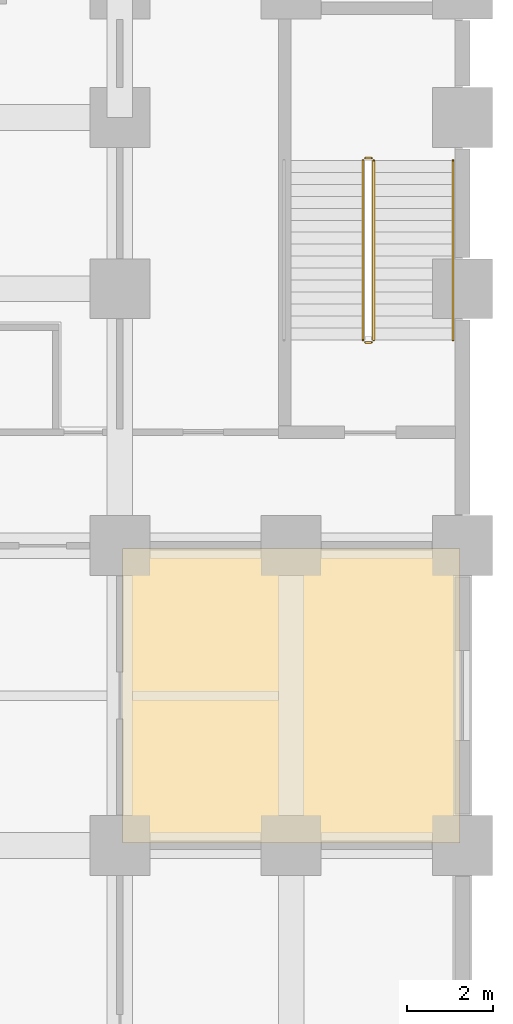
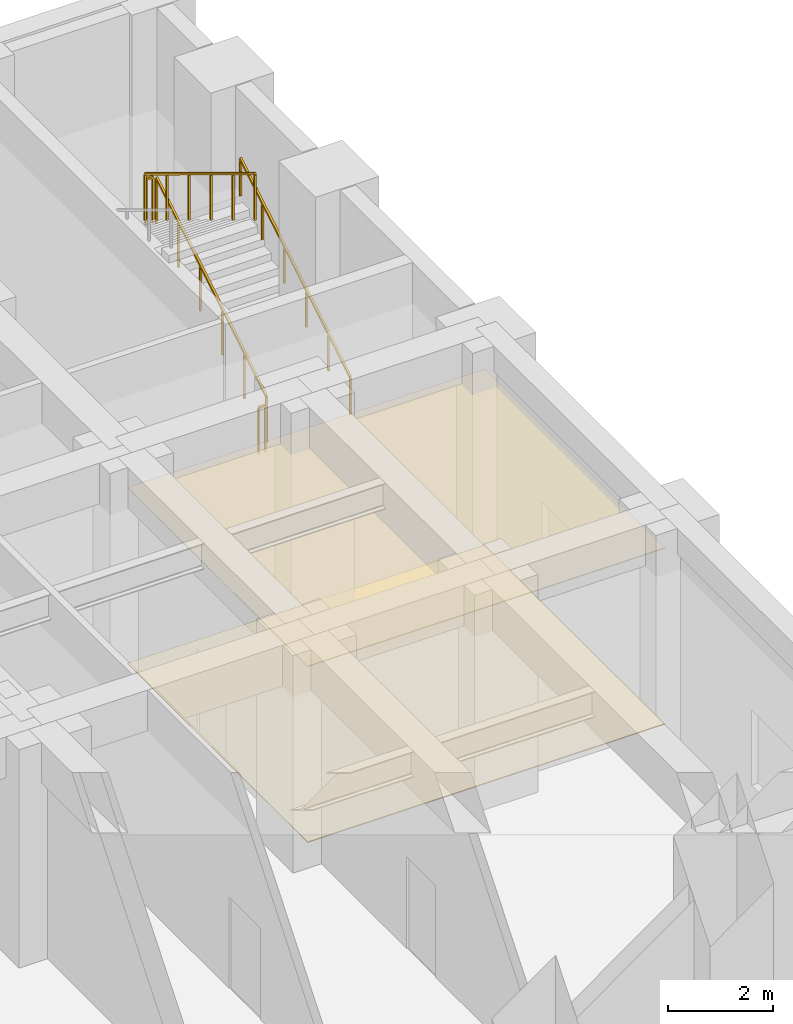
# One storey, part 21 of 21: 5 railings, 2 coverings.
"""IFC4 building model written with IfcOpenShell, lengths in metres."""

from ifc_helpers import new_model, si_unit, direction, frame, origin, origin_2d, place, context, subcontext, project, spatial, polyline, rectangle, outline, extrude, material, layer, layer_set, type_object, element, save


model = new_model("IFC4")

# Units and contexts
model_context = context("Model", 3, precision=1e-05, world=origin(), true_north=direction((0.0, 1.0)))
body_context = subcontext(model_context, "Body", "Model", "MODEL_VIEW")
ifc_project = project(units=[si_unit("LENGTHUNIT", "METRE"), si_unit("AREAUNIT", "SQUARE_METRE"), si_unit("VOLUMEUNIT", "CUBIC_METRE"), si_unit("PLANEANGLEUNIT", "RADIAN"), si_unit("MASSUNIT", "GRAM", prefix="KILO")], contexts=[model_context])

# Site, building, storey
site_placement = place(None, origin())
site = spatial("IfcSite", under=ifc_project, at=site_placement, CompositionType="ELEMENT")
building_placement = place(site_placement, origin())
building = spatial("IfcBuilding", under=site, at=building_placement, Name="Zulmaris Gate Convention Tower", CompositionType="ELEMENT")
storey_placement = place(building_placement, frame((0.0, 0.0, 5.43994140625)))
storey = spatial("IfcBuildingStorey", under=building, at=storey_placement, Name="L01", CompositionType="ELEMENT", Elevation=5.43994140625)

# Coverings
ifc_material_1 = material(Name="Mineral Fibre Acoustic Ceiling Tile")
ifc_layer_1 = layer(ifc_material_1, 0.02001953125, Name="Mineral Fibre Acoustic Ceiling Tile")
ifc_layer_set_1 = layer_set([ifc_layer_1], Name="Mineral Fibre Acoustic Ceiling Tile")
covering_type_1 = type_object("IfcCoveringType", Name="CLG-ACOUSTIC-600", PredefinedType="CEILING", material=ifc_layer_set_1)
covering_1_placement = place(storey_placement, frame((0.0, 0.0, 4.099853515625)))
element("IfcCovering", 1, at=covering_1_placement, inside=storey, type_object=covering_type_1, Name="CLG-L01-R79", PredefinedType="CEILING", context=body_context, shape_type="SweptSolid", body=[
    extrude(outline(polyline([(26.06005859375, 9.06005859375), (33.93994140625, 9.06005859375), (33.93994140625, 15.93994140625), (26.06005859375, 15.93994140625), (26.06005859375, 9.06005859375)])), origin(), (0.0, 0.0, 1.0), 0.02001953125),
])
ifc_material_2 = material(Name="Engineered Teak Parquet Flooring")
ifc_layer_2 = layer(ifc_material_2, 0.02001953125, Name="Engineered Teak Parquet Flooring")
ifc_layer_set_2 = layer_set([ifc_layer_2], Name="Engineered Teak Parquet Flooring")
covering_type_2 = type_object("IfcCoveringType", Name="FLR-TIMBER-18", PredefinedType="FLOORING", material=ifc_layer_set_2)
covering_2_placement = place(storey_placement, origin())
element("IfcCovering", 2, at=covering_2_placement, inside=storey, type_object=covering_type_2, Name="FLR-L01-R79", PredefinedType="FLOORING", context=body_context, shape_type="SweptSolid", body=[
    extrude(outline(polyline([(26.06005859375, 9.06005859375), (33.93994140625, 9.06005859375), (33.93994140625, 15.93994140625), (26.06005859375, 15.93994140625), (26.06005859375, 9.06005859375)])), origin(), (0.0, 0.0, 1.0), 0.02001953125),
])

# Railings
ifc_material_3 = material(Name="Painted Galvanised Steel", Category="steel")
railing_type_1 = type_object("IfcRailingType", Name="RL-STG-1150", PredefinedType="GUARDRAIL", material=ifc_material_3)
railing_1_placement = place(storey_placement, frame((31.929931640625, 20.800048828125, 0.169921875)))
element("IfcRailing", 3, at=railing_1_placement, inside=storey, type_object=railing_type_1, Name="L01 ST-5 stair guard 1", PredefinedType="GUARDRAIL", context=body_context, shape_type="SweptSolid", body=[
    extrude(rectangle(XDim=0.048095703125, YDim=0.048095703125, at=origin_2d()), frame((0.0, 0.0, 1.076171875), z_axis=(0.0, 0.854780430106, 0.518989803665), x_axis=(-1.0, 0.0, 0.0)), (0.0, 0.0, 1.0), 4.91357421875),
    extrude(rectangle(XDim=0.0419921875, YDim=0.0419921875, at=origin_2d()), origin(), (0.0, 0.0, 1.0), 1.052001953125),
    extrude(rectangle(XDim=0.0419921875, YDim=0.0419921875, at=origin_2d()), frame((0.0, 0.840087890625, 0.510009765625)), (0.0, 0.0, 1.0), 1.052001953125),
    extrude(rectangle(XDim=0.0419921875, YDim=0.0419921875, at=origin_2d()), frame((0.0, 1.679931640625, 1.02001953125)), (0.0, 0.0, 1.0), 1.052001953125),
    extrude(rectangle(XDim=0.0419921875, YDim=0.0419921875, at=origin_2d()), frame((0.0, 2.52001953125, 1.530029296875)), (0.0, 0.0, 1.0), 1.052001953125),
    extrude(rectangle(XDim=0.0419921875, YDim=0.0419921875, at=origin_2d()), frame((0.0, 3.35986328125, 2.0400390625)), (0.0, 0.0, 1.0), 1.052001953125),
    extrude(rectangle(XDim=0.0419921875, YDim=0.0419921875, at=origin_2d()), frame((0.0, 4.199951171875, 2.550048828125)), (0.0, 0.0, 1.0), 1.052001953125),
])
railing_2_placement = place(storey_placement, frame((31.8798828125, 25.050048828125, 2.719970703125)))
element("IfcRailing", 4, at=railing_2_placement, inside=storey, type_object=railing_type_1, Name="L01 ST-5 stair guard 2", PredefinedType="GUARDRAIL", context=body_context, shape_type="SweptSolid", body=[
    extrude(rectangle(XDim=0.048095703125, YDim=0.048095703125, at=origin_2d()), frame((0.0, 0.0, 1.076171875), z_axis=(-1.0, 0.0, 0.0), x_axis=(0.0, -1.0, 0.0)), (0.0, 0.0, 1.0), 0.14990234375),
    extrude(rectangle(XDim=0.0419921875, YDim=0.0419921875, at=origin_2d()), origin(), (0.0, 0.0, 1.0), 1.052001953125),
    extrude(rectangle(XDim=0.0419921875, YDim=0.0419921875, at=origin_2d()), frame((-0.14990234375, 0.0, 0.0)), (0.0, 0.0, 1.0), 1.052001953125),
])
railing_3_placement = place(storey_placement, frame((31.679931640625, 25.0, 2.889892578125)))
element("IfcRailing", 5, at=railing_3_placement, inside=storey, type_object=railing_type_1, Name="L01 ST-5 stair guard 3", PredefinedType="GUARDRAIL", context=body_context, shape_type="SweptSolid", body=[
    extrude(rectangle(XDim=0.048095703125, YDim=0.048095703125, at=origin_2d()), frame((0.0, 0.0, 1.076171875), z_axis=(0.0, -0.854780430106, 0.518989803665), x_axis=(1.0, 0.0, 0.0)), (0.0, 0.0, 1.0), 4.91357421875),
    extrude(rectangle(XDim=0.0419921875, YDim=0.0419921875, at=origin_2d()), origin(), (0.0, 0.0, 1.0), 1.052001953125),
    extrude(rectangle(XDim=0.0419921875, YDim=0.0419921875, at=origin_2d()), frame((0.0, -0.840087890625, 0.510009765625)), (0.0, 0.0, 1.0), 1.052001953125),
    extrude(rectangle(XDim=0.0419921875, YDim=0.0419921875, at=origin_2d()), frame((0.0, -1.679931640625, 1.02001953125)), (0.0, 0.0, 1.0), 1.052001953125),
    extrude(rectangle(XDim=0.0419921875, YDim=0.0419921875, at=origin_2d()), frame((0.0, -2.52001953125, 1.530029296875)), (0.0, 0.0, 1.0), 1.052001953125),
    extrude(rectangle(XDim=0.0419921875, YDim=0.0419921875, at=origin_2d()), frame((0.0, -3.35986328125, 2.0400390625)), (0.0, 0.0, 1.0), 1.052001953125),
    extrude(rectangle(XDim=0.0419921875, YDim=0.0419921875, at=origin_2d()), frame((0.0, -4.199951171875, 2.550048828125)), (0.0, 0.0, 1.0), 1.052001953125),
])
railing_4_placement = place(storey_placement, frame((31.8798828125, 20.75, 0.0)))
element("IfcRailing", 6, at=railing_4_placement, inside=storey, type_object=railing_type_1, Name="L01 ST-5 stair guard 4", PredefinedType="GUARDRAIL", context=body_context, shape_type="SweptSolid", body=[
    extrude(rectangle(XDim=0.048095703125, YDim=0.048095703125, at=origin_2d()), frame((0.0, 0.0, 1.076171875), z_axis=(-1.0, 0.0, 0.0), x_axis=(0.0, -1.0, 0.0)), (0.0, 0.0, 1.0), 0.14990234375),
    extrude(rectangle(XDim=0.0419921875, YDim=0.0419921875, at=origin_2d()), origin(), (0.0, 0.0, 1.0), 1.052001953125),
    extrude(rectangle(XDim=0.0419921875, YDim=0.0419921875, at=origin_2d()), frame((-0.14990234375, 0.0, 0.0)), (0.0, 0.0, 1.0), 1.052001953125),
])
ifc_material_4 = material(Name="Brushed Stainless Steel", Category="steel")
railing_type_2 = type_object("IfcRailingType", Name="RL-STH-900", PredefinedType="HANDRAIL", material=ifc_material_4)
railing_5_placement = place(storey_placement, frame((33.780029296875, 20.800048828125, 0.169921875)))
element("IfcRailing", 7, at=railing_5_placement, inside=storey, type_object=railing_type_2, Name="L01 ST-5 stair handrail 1", PredefinedType="HANDRAIL", context=body_context, shape_type="SweptSolid", body=[
    extrude(rectangle(XDim=0.048095703125, YDim=0.048095703125, at=origin_2d()), frame((0.0, 0.0, 0.8759765625), z_axis=(0.0, 0.854780430106, 0.518989803665), x_axis=(-1.0, 0.0, 0.0)), (0.0, 0.0, 1.0), 4.91357421875),
    extrude(rectangle(XDim=0.0419921875, YDim=0.0419921875, at=origin_2d()), origin(), (0.0, 0.0, 1.0), 0.851806640625),
    extrude(rectangle(XDim=0.0419921875, YDim=0.0419921875, at=origin_2d()), frame((0.0, 0.840087890625, 0.510009765625)), (0.0, 0.0, 1.0), 0.851806640625),
    extrude(rectangle(XDim=0.0419921875, YDim=0.0419921875, at=origin_2d()), frame((0.0, 1.679931640625, 1.02001953125)), (0.0, 0.0, 1.0), 0.851806640625),
    extrude(rectangle(XDim=0.0419921875, YDim=0.0419921875, at=origin_2d()), frame((0.0, 2.52001953125, 1.530029296875)), (0.0, 0.0, 1.0), 0.851806640625),
    extrude(rectangle(XDim=0.0419921875, YDim=0.0419921875, at=origin_2d()), frame((0.0, 3.35986328125, 2.0400390625)), (0.0, 0.0, 1.0), 0.851806640625),
    extrude(rectangle(XDim=0.0419921875, YDim=0.0419921875, at=origin_2d()), frame((0.0, 4.199951171875, 2.550048828125)), (0.0, 0.0, 1.0), 0.851806640625),
])

save(model, "model.ifc")
